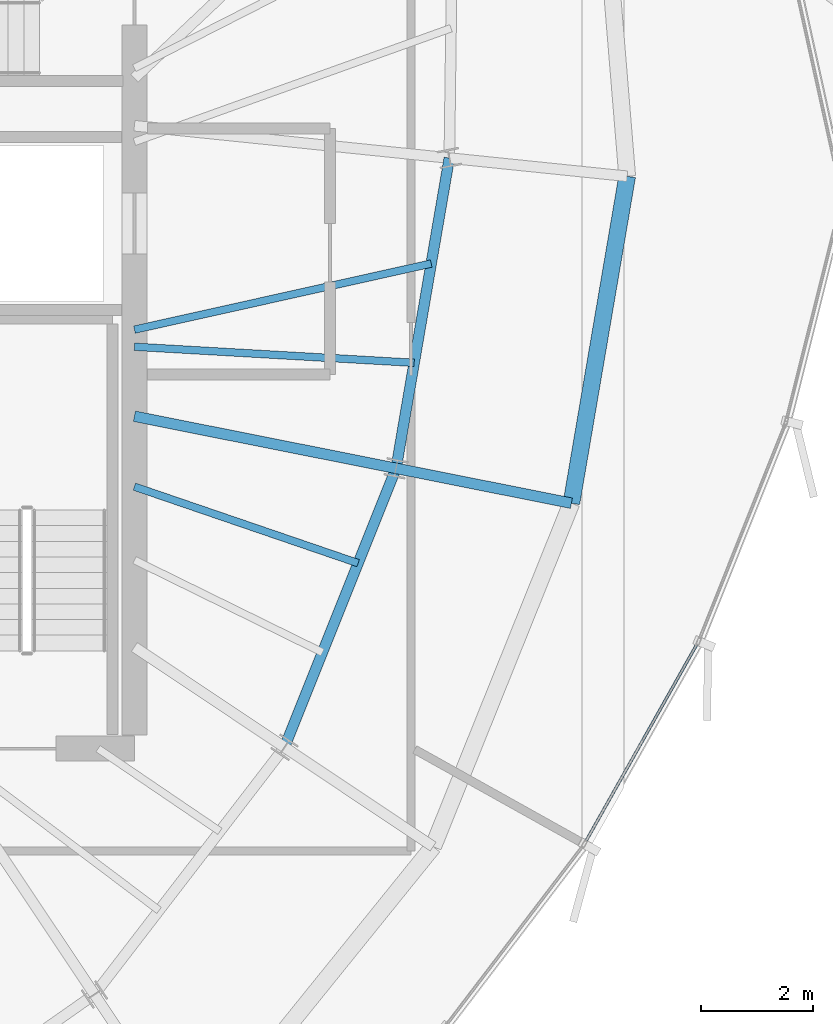
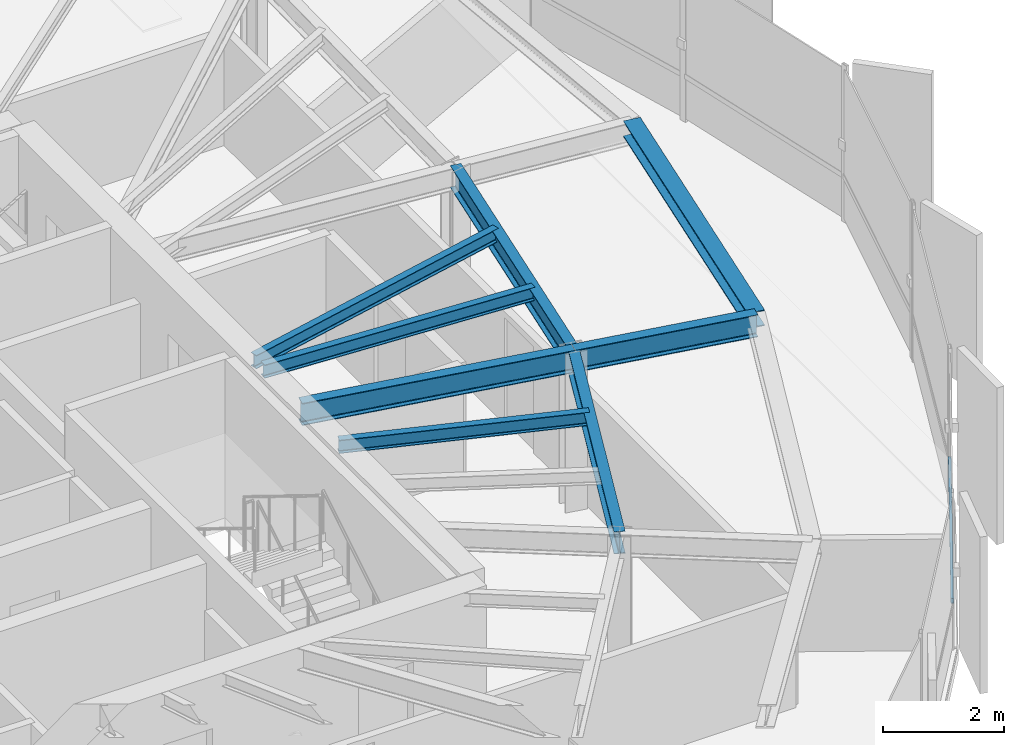
# One storey, part 14 of 34: 8 beams, 1 member, 1 element without a shape of its own.
"""IFC4 building model written with IfcOpenShell, lengths in metres."""

import ifcopenshell
import ifcopenshell.guid

model = None  # the IFC model being written
_history = None  # IfcOwnerHistory: only IFC2X3 demands one
_inside = {}  # id of a spatial element -> (the spatial element, [elements in it])
_under = {}  # id of a project, library or spatial element -> (it, [spatial elements below it])
_declared = {}  # id of a project -> (the project, [libraries it declares])
_typed = {}  # id of a type object -> (the type object, [elements of that type])
_made_of = {}  # id of a material, layer set ... -> (it, [elements and type objects made of it])


def new_model(schema):
    """Start an empty IFC model of exactly this schema.

    Asked for "IFC4X3", IfcOpenShell would pick the latest addendum, in which some entities
    have other attributes; the version numbers below select the first issue.
    IFC2X3 requires an IfcOwnerHistory on every rooted entity: one is made here for all.
    """
    global model, _history
    if schema == "IFC4X3":
        model = ifcopenshell.file(schema_version=(4, 3, 0, 0))
    else:
        model = ifcopenshell.file(schema=schema)
    _inside.clear()
    _under.clear()
    _declared.clear()
    _typed.clear()
    _made_of.clear()
    _history = None
    if model.schema == "IFC2X3":
        org = make("IfcOrganization", Name="unknown")
        user = make(
            "IfcPersonAndOrganization",
            ThePerson=make("IfcPerson", FamilyName="unknown"),
            TheOrganization=org,
        )
        app = make(
            "IfcApplication",
            ApplicationDeveloper=org,
            Version="unknown",
            ApplicationFullName="unknown",
            ApplicationIdentifier="unknown",
        )
        _history = make(
            "IfcOwnerHistory",
            OwningUser=user,
            OwningApplication=app,
            ChangeAction="ADDED",
            CreationDate=0,
        )
    return model


def make(cls, **values):
    """One entity of the class cls with the attributes given. An attribute that is None is left unset."""
    return model.create_entity(
        cls, **{name: value for name, value in values.items() if value is not None}
    )


def rooted(cls, **values):
    """An entity with a GlobalId (a new one), such as an element, a storey or a relation."""
    return make(cls, GlobalId=ifcopenshell.guid.new(), OwnerHistory=_history, **values)


def si_unit(unit_type, name, prefix=None):
    """IfcSIUnit, for example si_unit("LENGTHUNIT", "METRE", prefix="MILLI")."""
    return make("IfcSIUnit", UnitType=unit_type, Prefix=prefix, Name=name)


def assignment(units):
    """IfcUnitAssignment: the units of a project."""
    return None if units is None else make("IfcUnitAssignment", Units=units)


def point(xyz):
    """IfcCartesianPoint."""
    return None if xyz is None else make("IfcCartesianPoint", Coordinates=xyz)


def direction(xyz):
    """IfcDirection."""
    return None if xyz is None else make("IfcDirection", DirectionRatios=xyz)


def frame(location, z_axis=None, x_axis=None):
    """IfcAxis2Placement3D, a coordinate frame: its origin and axes. An axis left out is left unset."""
    return make(
        "IfcAxis2Placement3D",
        Location=point(location),
        Axis=direction(z_axis),
        RefDirection=direction(x_axis),
    )


def frame_2d(location, x_axis=None):
    """IfcAxis2Placement2D, a coordinate frame in the plane: its origin and x axis."""
    return make(
        "IfcAxis2Placement2D", Location=point(location), RefDirection=direction(x_axis)
    )


def origin():
    """The frame at (0, 0, 0) with its axes left unset."""
    return frame((0.0, 0.0, 0.0))


def origin_2d():
    """The frame at (0, 0) in the plane with its x axis left unset."""
    return frame_2d((0.0, 0.0))


def place(relative_to, where):
    """IfcLocalPlacement: puts the frame where relative to a parent placement (None: the world)."""
    return make(
        "IfcLocalPlacement", PlacementRelTo=relative_to, RelativePlacement=where
    )


def context(
    kind, dimensions, precision=None, world=None, true_north=None, identifier=None
):
    """IfcGeometricRepresentationContext, for example the 3D "Model" context."""
    return make(
        "IfcGeometricRepresentationContext",
        ContextIdentifier=identifier,
        ContextType=kind,
        CoordinateSpaceDimension=dimensions,
        Precision=precision,
        WorldCoordinateSystem=world,
        TrueNorth=true_north,
    )


def subcontext(parent, identifier, kind, view, scale=None):
    """IfcGeometricRepresentationSubContext, for example "Body" below "Model"."""
    return make(
        "IfcGeometricRepresentationSubContext",
        ContextIdentifier=identifier,
        ContextType=kind,
        ParentContext=parent,
        TargetScale=scale,
        TargetView=view,
    )


def project(units=None, contexts=None):
    """IfcProject with its units and contexts."""
    return rooted(
        "IfcProject",
        Name="project",
        RepresentationContexts=contexts,
        UnitsInContext=assignment(units),
    )


def spatial(cls, under=None, at=None, **own):
    """A site, building, storey or space (cls), placed at a placement, below another one or the project."""
    s = rooted(cls, ObjectPlacement=at, **own)
    if under is not None:
        _under.setdefault(under.id(), (under, []))[1].append(s)
    return s


def profile(cls, at=None, kind="AREA", **sizes):
    """A parametric profile (cls). Its sizes go by their IFC names, for example OverallWidth=200.0."""
    return make(cls, ProfileType=kind, Position=at, **sizes)


def hollow_rectangle(**sizes):
    """IfcRectangleHollowProfileDef."""
    return profile("IfcRectangleHollowProfileDef", **sizes)


def i_section(**sizes):
    """IfcIShapeProfileDef."""
    return profile("IfcIShapeProfileDef", **sizes)


def extrude(swept, where, along, depth):
    """IfcExtrudedAreaSolid: the profile swept, set in the frame where, extruded along a direction by depth."""
    return make(
        "IfcExtrudedAreaSolid",
        SweptArea=swept,
        Position=where,
        ExtrudedDirection=direction(along),
        Depth=depth,
    )


def shape(context_of_items, identifier, shape_type, items):
    """IfcShapeRepresentation: the items that make up one representation, for example the "Body"."""
    return make(
        "IfcShapeRepresentation",
        ContextOfItems=context_of_items,
        RepresentationIdentifier=identifier,
        RepresentationType=shape_type,
        Items=items,
    )


def source(mapping_origin, context_of_items, identifier, shape_type, items):
    """IfcRepresentationMap: a shape defined once, which mapped items show again and again."""
    return make(
        "IfcRepresentationMap",
        MappingOrigin=mapping_origin,
        MappedRepresentation=shape(context_of_items, identifier, shape_type, items),
    )


def transform(
    local_origin,
    x_axis=None,
    y_axis=None,
    z_axis=None,
    scale=None,
    scale2=None,
    scale3=None,
    uniform=True,
):
    """IfcCartesianTransformationOperator3D, or its non-uniform kind. x_axis, y_axis, z_axis: its Axis1, 2, 3."""
    if uniform:
        return make(
            "IfcCartesianTransformationOperator3D",
            Axis1=direction(x_axis),
            Axis2=direction(y_axis),
            LocalOrigin=point(local_origin),
            Scale=scale,
            Axis3=direction(z_axis),
        )
    return make(
        "IfcCartesianTransformationOperator3DnonUniform",
        Axis1=direction(x_axis),
        Axis2=direction(y_axis),
        LocalOrigin=point(local_origin),
        Scale=scale,
        Axis3=direction(z_axis),
        Scale2=scale2,
        Scale3=scale3,
    )


def mapped(mapping_source, mapping_target):
    """IfcMappedItem: shows the shape of a source again, moved by a transform."""
    return make(
        "IfcMappedItem", MappingSource=mapping_source, MappingTarget=mapping_target
    )


def material(Name=None, Category=None):
    """IfcMaterial."""
    return make("IfcMaterial", Name=Name, Category=Category)


def layer(
    of_material, thickness, ventilated=None, Name=None, Category=None, Priority=None
):
    """IfcMaterialLayer: one layer of a wall or slab, of a material (None: an air gap)."""
    return make(
        "IfcMaterialLayer",
        Material=of_material,
        LayerThickness=thickness,
        IsVentilated=ventilated,
        Name=Name,
        Category=Category,
        Priority=Priority,
    )


def layer_set(layers, Name=None):
    """IfcMaterialLayerSet."""
    return make("IfcMaterialLayerSet", MaterialLayers=layers, LayerSetName=Name)


def material_profile(
    of_material, cross_section, Name=None, Category=None, Priority=None
):
    """IfcMaterialProfile: a cross section and its material."""
    return make(
        "IfcMaterialProfile",
        Name=Name,
        Material=of_material,
        Profile=cross_section,
        Priority=Priority,
        Category=Category,
    )


def profile_set(profiles, Name=None, composite=None):
    """IfcMaterialProfileSet."""
    return make(
        "IfcMaterialProfileSet",
        Name=Name,
        MaterialProfiles=profiles,
        CompositeProfile=composite,
    )


def made_of(thing, what):
    """Note that an element or type object is made of a material, layer set ...; save() writes the relation."""
    if what is not None:
        _made_of.setdefault(what.id(), (what, []))[1].append(thing)
    return thing


def type_object(cls, material=None, **own):
    """A type object (cls), such as IfcWallType, which elements share."""
    return made_of(rooted(cls, **own), material)


def element(
    cls,
    number,
    at=None,
    inside=None,
    cuts=None,
    type_object=None,
    material=None,
    context=None,
    identifier="Body",
    shape_type=None,
    held_by="IfcProductDefinitionShape",
    body=None,
    shapes=None,
    **own,
):
    """One element of the class cls, such as IfcWall. Its Tag is "e" and its number.

    at: its placement. inside: the storey or other place that contains it. cuts: it is an
    opening in that element (IfcRelVoidsElement). A single representation is given by context,
    identifier, shape_type and body (its items); several are given by shapes. held_by: the class
    of the entity that holds the representations. save() writes the other relations.
    """
    e = rooted(cls, Tag="e%d" % number, ObjectPlacement=at, **own)
    if body is not None:
        shapes = [shape(context, identifier, shape_type, body)]
    if shapes is not None:
        e.Representation = make(held_by, Representations=shapes)
    if inside is not None:
        _inside.setdefault(inside.id(), (inside, []))[1].append(e)
    if cuts is not None:
        rooted(
            "IfcRelVoidsElement", RelatingBuildingElement=cuts, RelatedOpeningElement=e
        )
    if type_object is not None:
        _typed.setdefault(type_object.id(), (type_object, []))[1].append(e)
    return made_of(e, material)


def aggregate(whole, parts):
    """IfcRelAggregates: a whole, such as a stair, and the parts it consists of."""
    return rooted("IfcRelAggregates", RelatingObject=whole, RelatedObjects=parts)


def save(model, path):
    """Write the relations noted so far, then the file.

    IfcRelAggregates (storeys below a building ...), IfcRelContainedInSpatialStructure (elements
    in a storey), IfcRelDefinesByType, IfcRelAssociatesMaterial and IfcRelDeclares: one each for
    every whole, place, type object, material and project.
    """
    for whole, parts in _under.values():
        aggregate(whole, parts)
    for where, things in _inside.values():
        rooted(
            "IfcRelContainedInSpatialStructure",
            RelatedElements=things,
            RelatingStructure=where,
        )
    for kind, things in _typed.values():
        rooted("IfcRelDefinesByType", RelatedObjects=things, RelatingType=kind)
    for what, things in _made_of.values():
        rooted("IfcRelAssociatesMaterial", RelatedObjects=things, RelatingMaterial=what)
    for by, libraries in _declared.values():
        rooted("IfcRelDeclares", RelatingContext=by, RelatedDefinitions=libraries)
    model.write(path)


model = new_model("IFC4")

# Units and contexts
model_context = context("Model", 3, precision=1e-05, world=origin(), true_north=direction((0.0, 1.0)))
body_context = subcontext(model_context, "Body", "Model", "MODEL_VIEW")
ifc_project = project(units=[si_unit("LENGTHUNIT", "METRE"), si_unit("AREAUNIT", "SQUARE_METRE"), si_unit("VOLUMEUNIT", "CUBIC_METRE"), si_unit("PLANEANGLEUNIT", "RADIAN"), si_unit("MASSUNIT", "GRAM", prefix="KILO"), si_unit("THERMODYNAMICTEMPERATUREUNIT", "KELVIN")], contexts=[model_context])

# Site, building, storey
site_placement = place(None, origin())
site = spatial("IfcSite", under=ifc_project, at=site_placement, CompositionType="ELEMENT")
building_placement = place(site_placement, origin())
building = spatial("IfcBuilding", under=site, at=building_placement, Name="Kethvar Cultural Tower", CompositionType="ELEMENT")
storey_placement = place(building_placement, frame((0.0, 0.0, 231.85009765625)))
storey = spatial("IfcBuildingStorey", under=building, at=storey_placement, Name="L60", CompositionType="ELEMENT", Elevation=231.85009765625)

# Beams
ifc_material_1 = material(Name="Steel S355J2", Category="steel")
ifc_material_profile_1 = material_profile(ifc_material_1, i_section(OverallWidth=0.18994140625, OverallDepth=0.449951171875, WebThickness=0.009521484375, FlangeThickness=0.0146484375, FilletRadius=0.02099609375, at=origin_2d()), Name="Steel S355J2 — IPE450")
ifc_profile_set_1 = profile_set([ifc_material_profile_1], Name="Steel S355J2 — IPE450")
beam_type_1 = type_object("IfcBeamType", Name="BM-IPE450", PredefinedType="BEAM", material=ifc_profile_set_1)
shared_shape_1 = source(origin(), body_context, "Body", "SweptSolid", [
    extrude(i_section(OverallWidth=0.18994140625, OverallDepth=0.449951171875, WebThickness=0.009521484375, FlangeThickness=0.0146484375, FilletRadius=0.02099609375, at=origin_2d()), origin(), (0.0, 0.0, 1.0), 3.199951171875),
])
beam_1_placement = place(storey_placement, frame((60.28369140625, 25.117919921875, 2.98291015625), z_axis=(0.980785550224, -0.195088965533, 0.0), x_axis=(0.195088965533, 0.980785550224, 0.0)))
element("IfcBeam", 1, at=beam_1_placement, inside=storey, type_object=beam_type_1, Name="L60 Perimeter Cantilever Beam RC-16", PredefinedType="BEAM", context=body_context, shape_type="MappedRepresentation", body=[
    mapped(shared_shape_1, transform((0.0, 0.0, 0.0), scale=1.0)),
])
shared_shape_2 = source(origin(), body_context, "Body", "SweptSolid", [
    extrude(i_section(OverallWidth=0.18994140625, OverallDepth=0.449951171875, WebThickness=0.009521484375, FlangeThickness=0.0146484375, FilletRadius=0.02099609375, at=origin_2d()), origin(), (0.0, 0.0, 1.0), 4.775390625),
])
beam_2_placement = place(storey_placement, frame((55.60009765625, 26.049560546875, 2.98291015625), z_axis=(0.980784643133, -0.195093525761, 0.0), x_axis=(0.195093525761, 0.980784643133, 0.0)))
element("IfcBeam", 2, at=beam_2_placement, inside=storey, type_object=beam_type_1, Name="L60 Primary Radial Beam RB-16", PredefinedType="BEAM", context=body_context, shape_type="MappedRepresentation", body=[
    mapped(shared_shape_2, transform((0.0, 0.0, 0.0), scale=1.0)),
])
shared_shape_3 = source(origin(), body_context, "Body", "SweptSolid", [
    extrude(i_section(OverallWidth=0.18994140625, OverallDepth=0.449951171875, WebThickness=0.009521484375, FlangeThickness=0.0146484375, FilletRadius=0.02099609375, at=origin_2d()), origin(), (0.0, 0.0, 1.0), 5.377685546875),
])
beam_3_placement = place(storey_placement, frame((58.287109375, 20.12451171875, 2.98291015625), z_axis=(0.371265436914, 0.928526776864, 0.0), x_axis=(-0.928526776864, 0.371265436914, 0.0)))
element("IfcBeam", 3, at=beam_3_placement, inside=storey, type_object=beam_type_1, Name="L60 Column Ring Tie Beam CR-15", PredefinedType="BEAM", context=body_context, shape_type="MappedRepresentation", body=[
    mapped(shared_shape_3, transform((0.0, 0.0, 0.0), scale=1.0)),
])
ifc_material_profile_2 = material_profile(ifc_material_1, i_section(OverallWidth=0.135009765625, OverallDepth=0.27001953125, WebThickness=0.006591796875, FlangeThickness=0.01025390625, FilletRadius=0.014892578125, at=origin_2d()), Name="Steel S355J2 — IPE270")
ifc_profile_set_2 = profile_set([ifc_material_profile_2], Name="Steel S355J2 — IPE270")
beam_type_2 = type_object("IfcBeamType", Name="BM-J270", PredefinedType="JOIST", material=ifc_profile_set_2)
shared_shape_4 = source(origin(), body_context, "Body", "SweptSolid", [
    extrude(i_section(OverallWidth=0.135009765625, OverallDepth=0.27001953125, WebThickness=0.006591796875, FlangeThickness=0.01025390625, FilletRadius=0.014892578125, at=origin_2d()), origin(), (0.0, 0.0, 1.0), 4.232421875),
])
beam_4_placement = place(storey_placement, frame((55.60009765625, 24.7900390625, 3.072998046875), z_axis=(0.946173747357, -0.323659141402, 0.0), x_axis=(0.323659141402, 0.946173747357, 0.0)))
element("IfcBeam", 4, at=beam_4_placement, inside=storey, type_object=beam_type_2, Name="L60 Composite Floor Joist J-15B", PredefinedType="JOIST", context=body_context, shape_type="MappedRepresentation", body=[
    mapped(shared_shape_4, transform((0.0, 0.0, 0.0), scale=1.0)),
])
shared_shape_5 = source(origin(), body_context, "Body", "SweptSolid", [
    extrude(i_section(OverallWidth=0.18994140625, OverallDepth=0.449951171875, WebThickness=0.009521484375, FlangeThickness=0.0146484375, FilletRadius=0.02099609375, at=origin_2d()), origin(), (0.0, 0.0, 1.0), 5.635009765625),
])
beam_5_placement = place(storey_placement, frame((60.28369140625, 25.117919921875, 2.98291015625), z_axis=(0.169188687614, 0.985583678834, 0.0), x_axis=(-0.985583678834, 0.169188687614, 0.0)))
element("IfcBeam", 5, at=beam_5_placement, inside=storey, type_object=beam_type_1, Name="L60 Column Ring Tie Beam CR-16", PredefinedType="BEAM", context=body_context, shape_type="MappedRepresentation", body=[
    mapped(shared_shape_5, transform((0.0, 0.0, 0.0), scale=1.0)),
])
ifc_material_profile_3 = material_profile(ifc_material_1, i_section(OverallWidth=0.300048828125, OverallDepth=0.320068359375, WebThickness=0.011474609375, FlangeThickness=0.0205078125, FilletRadius=0.027099609375, at=origin_2d()), Name="Steel S355J2 — HEB320")
ifc_profile_set_3 = profile_set([ifc_material_profile_3], Name="Steel S355J2 — HEB320")
beam_type_3 = type_object("IfcBeamType", Name="BM-SP320", PredefinedType="SPANDREL", material=ifc_profile_set_3)
shared_shape_6 = source(origin(), body_context, "Body", "SweptSolid", [
    extrude(i_section(OverallWidth=0.300048828125, OverallDepth=0.320068359375, WebThickness=0.011474609375, FlangeThickness=0.0205078125, FilletRadius=0.027099609375, at=origin_2d()), origin(), (0.0, 0.0, 1.0), 5.93603515625),
])
beam_6_placement = place(storey_placement, frame((63.422119140625, 24.49365234375, 3.0478515625), z_axis=(0.16817267321, 0.985757552335, 0.0), x_axis=(-0.985757552335, 0.16817267321, 0.0)))
element("IfcBeam", 6, at=beam_6_placement, inside=storey, type_object=beam_type_3, Name="L60 Perimeter Spandrel Beam SP-16", PredefinedType="SPANDREL", context=body_context, shape_type="MappedRepresentation", body=[
    mapped(shared_shape_6, transform((0.0, 0.0, 0.0), scale=1.0)),
])
shared_shape_7 = source(origin(), body_context, "Body", "SweptSolid", [
    extrude(i_section(OverallWidth=0.135009765625, OverallDepth=0.27001953125, WebThickness=0.006591796875, FlangeThickness=0.01025390625, FilletRadius=0.014892578125, at=origin_2d()), origin(), (0.0, 0.0, 1.0), 5.01611328125),
])
beam_7_placement = place(storey_placement, frame((55.60009765625, 27.294189453125, 3.072998046875), z_axis=(0.998352190078, -0.057383835418, 0.0), x_axis=(0.057383835418, 0.998352190078, 0.0)))
element("IfcBeam", 7, at=beam_7_placement, inside=storey, type_object=beam_type_2, Name="L60 Composite Floor Joist J-16A", PredefinedType="JOIST", context=body_context, shape_type="MappedRepresentation", body=[
    mapped(shared_shape_7, transform((0.0, 0.0, 0.0), scale=1.0)),
])
shared_shape_8 = source(origin(), body_context, "Body", "SweptSolid", [
    extrude(i_section(OverallWidth=0.135009765625, OverallDepth=0.27001953125, WebThickness=0.006591796875, FlangeThickness=0.01025390625, FilletRadius=0.014892578125, at=origin_2d()), origin(), (0.0, 0.0, 1.0), 5.44287109375),
])
beam_8_placement = place(storey_placement, frame((55.60009765625, 27.60009765625, 3.072998046875), z_axis=(0.976080346759, 0.217410111702, 0.0), x_axis=(-0.217410111702, 0.976080346759, 0.0)))
element("IfcBeam", 8, at=beam_8_placement, inside=storey, type_object=beam_type_2, Name="L60 Composite Floor Joist J-16B", PredefinedType="JOIST", context=body_context, shape_type="MappedRepresentation", body=[
    mapped(shared_shape_8, transform((0.0, 0.0, 0.0), scale=1.0)),
])

# Curtain wall, member
ifc_material_2 = material(Name="Aluminium 6063-T6", Category="aluminium")
ifc_layer = layer(ifc_material_2, 0.179931640625, Name="Aluminium 6063-T6", Category="aluminium")
ifc_layer_set = layer_set([ifc_layer], Name="Aluminium 6063-T6 (180 mm)")
curtain_wall_type = type_object("IfcCurtainWallType", Name="CW-SYS-05-Z56", PredefinedType="NOTDEFINED", material=ifc_layer_set)
curtain_wall_placement = place(storey_placement, origin())
curtain_wall = element("IfcCurtainWall", 9, at=curtain_wall_placement, inside=storey, type_object=curtain_wall_type, Name="L60 Curtain Wall Run 05", PredefinedType="NOTDEFINED")
ifc_material_profile_4 = material_profile(ifc_material_2, hollow_rectangle(XDim=0.050048828125, YDim=0.10009765625, WallThickness=0.00390625, at=origin_2d()), Name="Aluminium 6063-T6 — RHS100x50x4")
ifc_profile_set_4 = profile_set([ifc_material_profile_4], Name="Aluminium 6063-T6 — RHS100x50x4")
member_type = type_object("IfcMemberType", Name="CW-SYS-05-Z56-TRN", PredefinedType="USERDEFINED", material=ifc_profile_set_4)
shared_shape_9 = source(origin(), body_context, "Body", "SweptSolid", [
    extrude(hollow_rectangle(XDim=0.050048828125, YDim=0.10009765625, WallThickness=0.00390625, at=origin_2d()), origin(), (0.0, 0.0, 1.0), 4.1005859375),
])
member_placement = place(storey_placement, frame((63.672119140625, 18.42626953125, 0.949951171875), z_axis=(0.490962126893, 0.871180916892, 0.0), x_axis=(-0.871180916892, 0.490962126893, 0.0)))
member = element("IfcMember", 10, at=member_placement, type_object=member_type, Name="CW-L60-R05 Transom 5", ObjectType="TRANSOM", PredefinedType="USERDEFINED", context=body_context, shape_type="MappedRepresentation", body=[
    mapped(shared_shape_9, transform((0.0, 0.0, 0.0), scale=1.0)),
])
aggregate(curtain_wall, [member])

save(model, "model.ifc")
